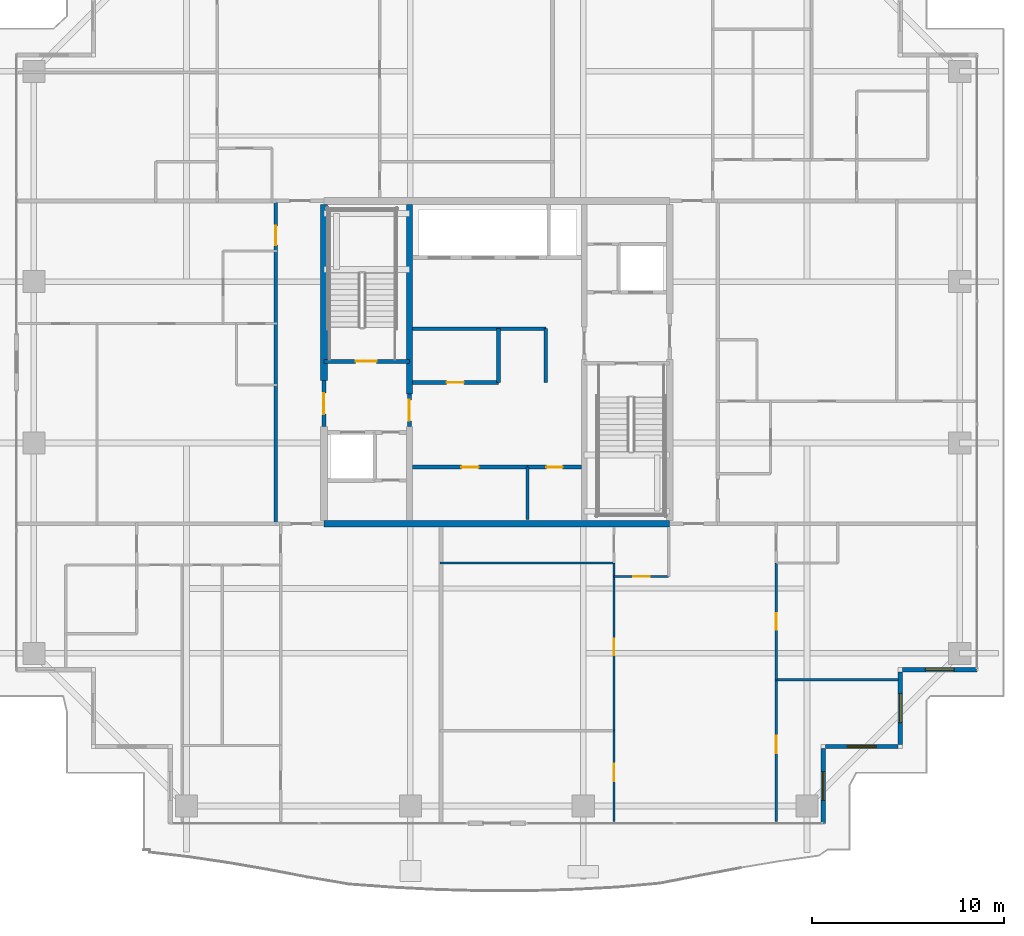
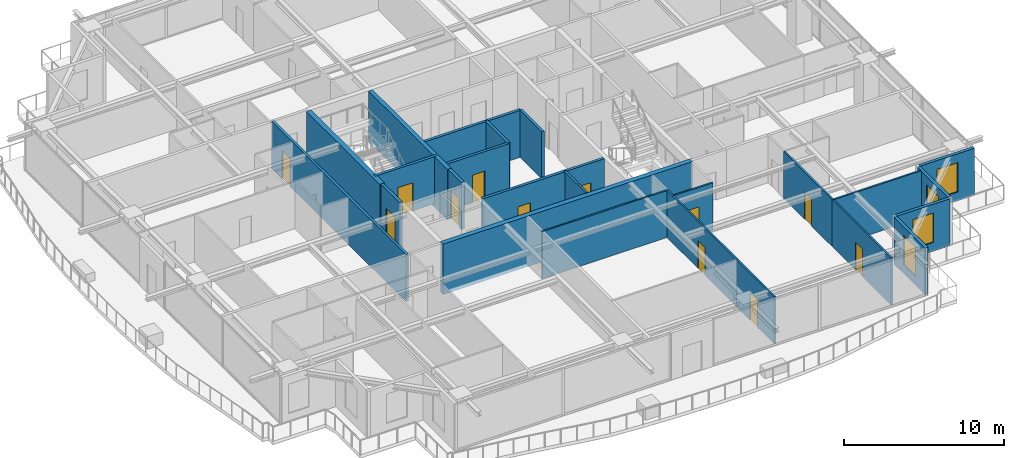
# One storey, part 25 of 35: 25 walls, 12 doors, 4 windows, 16 openings.
"""IFC4 building model written with IfcOpenShell, lengths in metres."""

from ifc_helpers import new_model, si_unit, direction, frame, frame_2d, origin, place, context, subcontext, project, spatial, rectangle, extrude, source, transform, mapped, material, layer, layer_set, type_object, element, fill, save


model = new_model("IFC4")

# Units and contexts
model_context = context("Model", 3, precision=1e-05, world=origin(), true_north=direction((0.0, 1.0)))
body_context = subcontext(model_context, "Body", "Model", "MODEL_VIEW")
ifc_project = project(units=[si_unit("LENGTHUNIT", "METRE"), si_unit("AREAUNIT", "SQUARE_METRE"), si_unit("VOLUMEUNIT", "CUBIC_METRE"), si_unit("PLANEANGLEUNIT", "RADIAN"), si_unit("MASSUNIT", "GRAM", prefix="KILO")], contexts=[model_context])

# Site, building, storey
site_placement = place(None, origin())
site = spatial("IfcSite", under=ifc_project, at=site_placement, CompositionType="ELEMENT")
building_placement = place(site_placement, origin())
building = spatial("IfcBuilding", under=site, at=building_placement, Name="Serunith Strait Residences", CompositionType="ELEMENT")
storey_placement = place(building_placement, frame((0.0, 0.0, 214.300048828125)))
storey = spatial("IfcBuildingStorey", under=building, at=storey_placement, Name="L53", CompositionType="ELEMENT", Elevation=214.300048828125)

# Wall, opening, window
ifc_material_1 = material(Name="Pale-Champagne Aluminium Insulated Panel", Category="aluminium")
ifc_layer_1 = layer(ifc_material_1, 0.219970703125, Name="Pale-Champagne Aluminium Insulated Panel")
ifc_layer_set_1 = layer_set([ifc_layer_1], Name="Pale-Champagne Aluminium Insulated Panel")
wall_type_1 = type_object("IfcWallType", Name="EW-ALUM-220", PredefinedType="ELEMENTEDWALL", material=ifc_layer_set_1)
wall_1_placement = place(storey_placement, frame((49.39990234375, 1.199951171875, 0.0), z_axis=(0.0, 0.0, 1.0), x_axis=(0.0, 1.0, 0.0)))
wall_1 = element("IfcWall", 1, at=wall_1_placement, inside=storey, type_object=wall_type_1, Name="L53 Girih Serrated Corner Wall 02", PredefinedType="ELEMENTEDWALL", context=body_context, shape_type="SweptSolid", body=[
    extrude(rectangle(XDim=3.89013671875, YDim=0.219970703125, at=frame_2d((1.945068359375, 0.0))), origin(), (0.0, 0.0, 1.0), 3.574951171875),
])
opening_1_placement = place(wall_1_placement, frame((1.195068359375, 0.0, 0.64990234375)))
opening_1 = element("IfcOpeningElement", 2, at=opening_1_placement, cuts=wall_1, Name="Opening W-05", PredefinedType="OPENING", context=body_context, shape_type="SweptSolid", body=[
    extrude(rectangle(XDim=1.5, YDim=2.25, at=frame_2d((0.75, 1.125))), frame((0.0, 0.1201171875, 0.0), z_axis=(0.0, -1.0, 0.0), x_axis=(1.0, 0.0, 0.0)), (0.0, 0.0, 1.0), 0.239990234375),
])
ifc_material_2 = material(Name="Ceramic-Fritted Operable Aluminium Window Glass", Category="aluminium")
window_type = type_object("IfcWindowType", Name="WIN-C5", PartitioningType="DOUBLE_PANEL_VERTICAL", PredefinedType="WINDOW", material=ifc_material_2)
shared_shape_1 = source(origin(), body_context, "Body", "SweptSolid", [
    extrude(rectangle(XDim=1.5, YDim=2.25, at=frame_2d((0.75, 1.125))), frame((0.0, 0.030029296875, 0.0), z_axis=(0.0, -1.0, 0.0), x_axis=(1.0, 0.0, 0.0)), (0.0, 0.0, 1.0), 0.06005859375),
])
window_1_placement = place(opening_1_placement, origin())
window_1 = element("IfcWindow", 3, at=window_1_placement, inside=storey, type_object=window_type, Name="L53 Corner Operable Fritted Window 02", OverallHeight=2.25, OverallWidth=1.5, PartitioningType="SINGLE_PANEL", PredefinedType="WINDOW", context=body_context, shape_type="MappedRepresentation", body=[
    mapped(shared_shape_1, transform((0.0, 0.0, 0.0), scale=1.0)),
])
fill(opening_1, window_1)

wall_2_placement = place(storey_placement, frame((49.510009765625, 5.199951171875, 0.0), z_axis=(0.0, 0.0, 1.0), x_axis=(1.0, 0.0, 0.0)))
wall_2 = element("IfcWall", 4, at=wall_2_placement, inside=storey, type_object=wall_type_1, Name="L53 Girih Serrated Corner Wall 03", PredefinedType="ELEMENTEDWALL", context=body_context, shape_type="SweptSolid", body=[
    extrude(rectangle(XDim=3.780029296875, YDim=0.219970703125, at=frame_2d((1.89013671875, 0.0))), origin(), (0.0, 0.0, 1.0), 3.574951171875),
])
opening_2_placement = place(wall_2_placement, frame((1.139892578125, 0.0, 0.64990234375)))
opening_2 = element("IfcOpeningElement", 5, at=opening_2_placement, cuts=wall_2, Name="Opening W-05", PredefinedType="OPENING", context=body_context, shape_type="SweptSolid", body=[
    extrude(rectangle(XDim=1.5, YDim=2.25, at=frame_2d((0.75, 1.125))), frame((0.0, 0.1201171875, 0.0), z_axis=(0.0, -1.0, 0.0), x_axis=(1.0, 0.0, 0.0)), (0.0, 0.0, 1.0), 0.239990234375),
])
window_2_placement = place(opening_2_placement, origin())
window_2 = element("IfcWindow", 6, at=window_2_placement, inside=storey, type_object=window_type, Name="L53 Corner Operable Fritted Window 03", OverallHeight=2.25, OverallWidth=1.5, PartitioningType="SINGLE_PANEL", PredefinedType="WINDOW", context=body_context, shape_type="MappedRepresentation", body=[
    mapped(shared_shape_1, transform((0.0, 0.0, 0.0), scale=1.0)),
])
fill(opening_2, window_2)

wall_3_placement = place(storey_placement, frame((53.39990234375, 5.31005859375, 0.0), z_axis=(0.0, 0.0, 1.0), x_axis=(0.0, 1.0, 0.0)))
wall_3 = element("IfcWall", 7, at=wall_3_placement, inside=storey, type_object=wall_type_1, Name="L53 Girih Serrated Corner Wall 04", PredefinedType="ELEMENTEDWALL", context=body_context, shape_type="SweptSolid", body=[
    extrude(rectangle(XDim=3.780029296875, YDim=0.219970703125, at=frame_2d((1.89013671875, 0.0))), origin(), (0.0, 0.0, 1.0), 3.574951171875),
])
opening_3_placement = place(wall_3_placement, frame((1.139892578125, 0.0, 0.64990234375)))
opening_3 = element("IfcOpeningElement", 8, at=opening_3_placement, cuts=wall_3, Name="Opening W-05", PredefinedType="OPENING", context=body_context, shape_type="SweptSolid", body=[
    extrude(rectangle(XDim=1.5, YDim=2.25, at=frame_2d((0.75, 1.125))), frame((0.0, 0.1201171875, 0.0), z_axis=(0.0, -1.0, 0.0), x_axis=(1.0, 0.0, 0.0)), (0.0, 0.0, 1.0), 0.239990234375),
])
window_3_placement = place(opening_3_placement, origin())
window_3 = element("IfcWindow", 9, at=window_3_placement, inside=storey, type_object=window_type, Name="L53 Corner Operable Fritted Window 04", OverallHeight=2.25, OverallWidth=1.5, PartitioningType="SINGLE_PANEL", PredefinedType="WINDOW", context=body_context, shape_type="MappedRepresentation", body=[
    mapped(shared_shape_1, transform((0.0, 0.0, 0.0), scale=1.0)),
])
fill(opening_3, window_3)

wall_4_placement = place(storey_placement, frame((53.510009765625, 9.199951171875, 0.0), z_axis=(0.0, 0.0, 1.0), x_axis=(1.0, 0.0, 0.0)))
wall_4 = element("IfcWall", 10, at=wall_4_placement, inside=storey, type_object=wall_type_1, Name="L53 Girih Serrated Corner Wall 05", PredefinedType="ELEMENTEDWALL", context=body_context, shape_type="SweptSolid", body=[
    extrude(rectangle(XDim=3.889892578125, YDim=0.219970703125, at=frame_2d((1.94482421875, 0.0))), origin(), (0.0, 0.0, 1.0), 3.574951171875),
])
opening_4_placement = place(wall_4_placement, frame((1.195068359375, 0.0, 0.64990234375)))
opening_4 = element("IfcOpeningElement", 11, at=opening_4_placement, cuts=wall_4, Name="Opening W-05", PredefinedType="OPENING", context=body_context, shape_type="SweptSolid", body=[
    extrude(rectangle(XDim=1.5, YDim=2.25, at=frame_2d((0.75, 1.125))), frame((0.0, 0.1201171875, 0.0), z_axis=(0.0, -1.0, 0.0), x_axis=(1.0, 0.0, 0.0)), (0.0, 0.0, 1.0), 0.239990234375),
])
window_4_placement = place(opening_4_placement, origin())
window_4 = element("IfcWindow", 12, at=window_4_placement, inside=storey, type_object=window_type, Name="L53 Corner Operable Fritted Window 05", OverallHeight=2.25, OverallWidth=1.5, PartitioningType="SINGLE_PANEL", PredefinedType="WINDOW", context=body_context, shape_type="MappedRepresentation", body=[
    mapped(shared_shape_1, transform((0.0, 0.0, 0.0), scale=1.0)),
])
fill(opening_4, window_4)

# Wall
ifc_material_3 = material(Name="Fire-rated masonry service closet wall", Category="masonry")
ifc_layer_2 = layer(ifc_material_3, 0.14990234375, Name="Fire-rated masonry service closet wall")
ifc_layer_set_2 = layer_set([ifc_layer_2], Name="Fire-rated masonry service closet wall")
wall_type_2 = type_object("IfcWallType", Name="IW-BOH-150", PredefinedType="PARTITIONING", material=ifc_layer_set_2)
wall_5_placement = place(storey_placement, frame((34.0, 17.02001953125, 0.0), z_axis=(0.0, 0.0, 1.0), x_axis=(0.0, 1.0, 0.0)))
element("IfcWall", 13, at=wall_5_placement, inside=storey, type_object=wall_type_2, Name="L53 Partition Wall 015", PredefinedType="PARTITIONING", context=body_context, shape_type="SweptSolid", body=[
    extrude(rectangle(XDim=2.72998046875, YDim=0.14990234375, at=frame_2d((1.364990234375, 0.0))), origin(), (0.0, 0.0, 1.0), 3.58984375),
])

# Wall, opening, door
ifc_material_4 = material(Name="Fire-rated acoustic gypsum partition")
ifc_layer_3 = layer(ifc_material_4, 0.179931640625, Name="Fire-rated acoustic gypsum partition")
ifc_layer_set_3 = layer_set([ifc_layer_3], Name="Fire-rated acoustic gypsum partition")
wall_type_3 = type_object("IfcWallType", Name="IW-CORR-180", PredefinedType="PARTITIONING", material=ifc_layer_set_3)
wall_6_placement = place(storey_placement, frame((20.89990234375, 16.800048828125, 0.0), z_axis=(0.0, 0.0, 1.0), x_axis=(0.0, 1.0, 0.0)))
wall_6 = element("IfcWall", 14, at=wall_6_placement, inside=storey, type_object=wall_type_3, Name="L53 Partition Wall 028", PredefinedType="PARTITIONING", context=body_context, shape_type="SweptSolid", body=[
    extrude(rectangle(XDim=16.800048828125, YDim=0.179931640625, at=frame_2d((8.39990234375, 0.0))), origin(), (0.0, 0.0, 1.0), 3.58984375),
])
opening_5_placement = place(wall_6_placement, frame((14.5, 0.0, 0.0)))
opening_5 = element("IfcOpeningElement", 15, at=opening_5_placement, cuts=wall_6, Name="Opening D-APT1000", PredefinedType="OPENING", context=body_context, shape_type="SweptSolid", body=[
    extrude(rectangle(XDim=1.0, YDim=2.14990234375, at=frame_2d((0.5, 1.074951171875))), frame((0.0, 0.10009765625, 0.0), z_axis=(0.0, -1.0, 0.0), x_axis=(1.0, 0.0, 0.0)), (0.0, 0.0, 1.0), 0.199951171875),
])
ifc_material_5 = material(Name="Solid timber engineered fire door", Category="wood")
door_type_1 = type_object("IfcDoorType", Name="ID-APT-1000", OperationType="NOTDEFINED", PredefinedType="DOOR", material=ifc_material_5)
shared_shape_2 = source(origin(), body_context, "Body", "SweptSolid", [
    extrude(rectangle(XDim=1.0, YDim=2.14990234375, at=frame_2d((0.5, 1.074951171875))), frame((0.0, 0.02490234375, 0.0), z_axis=(0.0, -1.0, 0.0), x_axis=(1.0, 0.0, 0.0)), (0.0, 0.0, 1.0), 0.050048828125),
])
door_1_placement = place(opening_5_placement, origin())
door_1 = element("IfcDoor", 16, at=door_1_placement, inside=storey, type_object=door_type_1, Name="L53 Unit 05 Entrance Door", OperationType="SINGLE_SWING_RIGHT", OverallHeight=2.14990234375, OverallWidth=1.0, PredefinedType="DOOR", context=body_context, shape_type="MappedRepresentation", body=[
    mapped(shared_shape_2, transform((0.0, 0.0, 0.0), scale=1.0)),
])
fill(opening_5, door_1)

ifc_material_6 = material(Name="Lightweight steel-stud gypsum partition", Category="steel")
ifc_layer_4 = layer(ifc_material_6, 0.1201171875, Name="Lightweight steel-stud gypsum partition")
ifc_layer_set_4 = layer_set([ifc_layer_4], Name="Lightweight steel-stud gypsum partition")
wall_type_4 = type_object("IfcWallType", Name="IW-PART-120", PredefinedType="PARTITIONING", material=ifc_layer_set_4)
wall_7_placement = place(storey_placement, frame((38.5, 14.050048828125, 0.0), z_axis=(0.0, 0.0, 1.0), x_axis=(1.0, 0.0, 0.0)))
wall_7 = element("IfcWall", 17, at=wall_7_placement, inside=storey, type_object=wall_type_4, Name="L53 Partition Wall 046", PredefinedType="PARTITIONING", context=body_context, shape_type="SweptSolid", body=[
    extrude(rectangle(XDim=2.85009765625, YDim=0.1201171875, at=frame_2d((1.425048828125, 0.0))), origin(), (0.0, 0.0, 1.0), 3.58984375),
])
opening_6_placement = place(wall_7_placement, frame((1.0, 0.0, 0.0)))
opening_6 = element("IfcOpeningElement", 18, at=opening_6_placement, cuts=wall_7, Name="Opening D-RM850", PredefinedType="OPENING", context=body_context, shape_type="SweptSolid", body=[
    extrude(rectangle(XDim=0.85009765625, YDim=2.10009765625, at=frame_2d((0.425048828125, 1.050048828125))), frame((0.0, 0.070068359375, 0.0), z_axis=(0.0, -1.0, 0.0), x_axis=(1.0, 0.0, 0.0)), (0.0, 0.0, 1.0), 0.14013671875),
])
ifc_material_7 = material(Name="Engineered timber flush study and kitchen door", Category="wood")
door_type_2 = type_object("IfcDoorType", Name="ID-ROOM-850", OperationType="NOTDEFINED", PredefinedType="DOOR", material=ifc_material_7)
shared_shape_3 = source(origin(), body_context, "Body", "SweptSolid", [
    extrude(rectangle(XDim=0.85009765625, YDim=2.10009765625, at=frame_2d((0.425048828125, 1.050048828125))), frame((0.0, 0.02490234375, 0.0), z_axis=(0.0, -1.0, 0.0), x_axis=(1.0, 0.0, 0.0)), (0.0, 0.0, 1.0), 0.050048828125),
])
door_2_placement = place(opening_6_placement, origin())
door_2 = element("IfcDoor", 19, at=door_2_placement, inside=storey, type_object=door_type_2, Name="L53 Kitchen 5302 Door", OperationType="SINGLE_SWING_LEFT", OverallHeight=2.10009765625, OverallWidth=0.85009765625, PredefinedType="DOOR", context=body_context, shape_type="MappedRepresentation", body=[
    mapped(shared_shape_3, transform((0.0, 0.0, 0.0), scale=1.0)),
])
fill(opening_6, door_2)

wall_8_placement = place(storey_placement, frame((38.5, 1.294921875, 0.0), z_axis=(0.0, 0.0, 1.0), x_axis=(0.0, 1.0, 0.0)))
wall_8 = element("IfcWall", 20, at=wall_8_placement, inside=storey, type_object=wall_type_4, Name="L53 Partition Wall 048", PredefinedType="PARTITIONING", context=body_context, shape_type="SweptSolid", body=[
    extrude(rectangle(XDim=4.72705078125, YDim=0.1201171875, at=frame_2d((2.363525390625, 0.0))), origin(), (0.0, 0.0, 1.0), 3.58984375),
])
opening_7_placement = place(wall_8_placement, frame((2.10498046875, 0.0, 0.0)))
opening_7 = element("IfcOpeningElement", 21, at=opening_7_placement, cuts=wall_8, Name="Opening D-RM900", PredefinedType="OPENING", context=body_context, shape_type="SweptSolid", body=[
    extrude(rectangle(XDim=0.89990234375, YDim=2.10009765625, at=frame_2d((0.449951171875, 1.050048828125))), frame((0.0, 0.070068359375, 0.0), z_axis=(0.0, -1.0, 0.0), x_axis=(1.0, 0.0, 0.0)), (0.0, 0.0, 1.0), 0.14013671875),
])
ifc_material_8 = material(Name="Engineered timber flush bedroom door", Category="wood")
door_type_3 = type_object("IfcDoorType", Name="ID-ROOM-900", OperationType="NOTDEFINED", PredefinedType="DOOR", material=ifc_material_8)
shared_shape_4 = source(origin(), body_context, "Body", "SweptSolid", [
    extrude(rectangle(XDim=0.89990234375, YDim=2.10009765625, at=frame_2d((0.449951171875, 1.050048828125))), frame((0.0, 0.02490234375, 0.0), z_axis=(0.0, -1.0, 0.0), x_axis=(1.0, 0.0, 0.0)), (0.0, 0.0, 1.0), 0.050048828125),
])
door_3_placement = place(opening_7_placement, origin())
door_3 = element("IfcDoor", 22, at=door_3_placement, inside=storey, type_object=door_type_3, Name="L53 Master Bedroom 1 5302 Door", OperationType="SINGLE_SWING_RIGHT", OverallHeight=2.10009765625, OverallWidth=0.89990234375, PredefinedType="DOOR", context=body_context, shape_type="MappedRepresentation", body=[
    mapped(shared_shape_4, transform((0.0, 0.0, 0.0), scale=1.0)),
])
fill(opening_7, door_3)

# Wall
wall_9_placement = place(storey_placement, frame((29.43994140625, 14.75, 0.0), z_axis=(0.0, 0.0, 1.0), x_axis=(1.0, 0.0, 0.0)))
element("IfcWall", 23, at=wall_9_placement, inside=storey, type_object=wall_type_4, Name="L53 Partition Wall 050", PredefinedType="PARTITIONING", context=body_context, shape_type="SweptSolid", body=[
    extrude(rectangle(XDim=9.06005859375, YDim=0.1201171875, at=frame_2d((4.530029296875, 0.0))), origin(), (0.0, 0.0, 1.0), 3.58984375),
])

# Wall, opening, door
wall_10_placement = place(storey_placement, frame((38.5, 6.02392578125, 0.0), z_axis=(0.0, 0.0, 1.0), x_axis=(0.0, 1.0, 0.0)))
wall_10 = element("IfcWall", 24, at=wall_10_placement, inside=storey, type_object=wall_type_4, Name="L53 Partition Wall 051", PredefinedType="PARTITIONING", context=body_context, shape_type="SweptSolid", body=[
    extrude(rectangle(XDim=8.72607421875, YDim=0.1201171875, at=frame_2d((4.363037109375, 0.0))), origin(), (0.0, 0.0, 1.0), 3.58984375),
])
opening_8_placement = place(wall_10_placement, frame((3.93798828125, 0.0, 0.0)))
opening_8 = element("IfcOpeningElement", 25, at=opening_8_placement, cuts=wall_10, Name="Opening D-RM850", PredefinedType="OPENING", context=body_context, shape_type="SweptSolid", body=[
    extrude(rectangle(XDim=0.85009765625, YDim=2.10009765625, at=frame_2d((0.425048828125, 1.050048828125))), frame((0.0, 0.070068359375, 0.0), z_axis=(0.0, -1.0, 0.0), x_axis=(1.0, 0.0, 0.0)), (0.0, 0.0, 1.0), 0.14013671875),
])
door_4_placement = place(opening_8_placement, origin())
door_4 = element("IfcDoor", 26, at=door_4_placement, inside=storey, type_object=door_type_2, Name="L53 Walk-in Wardrobe 5302 Door", OperationType="SINGLE_SWING_LEFT", OverallHeight=2.10009765625, OverallWidth=0.85009765625, PredefinedType="DOOR", context=body_context, shape_type="MappedRepresentation", body=[
    mapped(shared_shape_3, transform((0.0, 0.0, 0.0), scale=1.0)),
])
fill(opening_8, door_4)

wall_11_placement = place(storey_placement, frame((46.949951171875, 1.294921875, 0.0), z_axis=(0.0, 0.0, 1.0), x_axis=(0.0, 1.0, 0.0)))
wall_11 = element("IfcWall", 27, at=wall_11_placement, inside=storey, type_object=wall_type_4, Name="L53 Partition Wall 053", PredefinedType="PARTITIONING", context=body_context, shape_type="SweptSolid", body=[
    extrude(rectangle(XDim=7.373046875, YDim=0.1201171875, at=frame_2d((3.6865234375, 0.0))), origin(), (0.0, 0.0, 1.0), 3.58984375),
])
opening_9_placement = place(wall_11_placement, frame((3.56005859375, 0.0, 0.0)))
opening_9 = element("IfcOpeningElement", 28, at=opening_9_placement, cuts=wall_11, Name="Opening D-RM900", PredefinedType="OPENING", context=body_context, shape_type="SweptSolid", body=[
    extrude(rectangle(XDim=0.89990234375, YDim=2.10009765625, at=frame_2d((0.449951171875, 1.050048828125))), frame((0.0, 0.070068359375, 0.0), z_axis=(0.0, -1.0, 0.0), x_axis=(1.0, 0.0, 0.0)), (0.0, 0.0, 1.0), 0.14013671875),
])
door_5_placement = place(opening_9_placement, origin())
door_5 = element("IfcDoor", 29, at=door_5_placement, inside=storey, type_object=door_type_3, Name="L53 Bedroom 2 5302 Door", OperationType="SINGLE_SWING_LEFT", OverallHeight=2.10009765625, OverallWidth=0.89990234375, PredefinedType="DOOR", context=body_context, shape_type="MappedRepresentation", body=[
    mapped(shared_shape_4, transform((0.0, 0.0, 0.0), scale=1.0)),
])
fill(opening_9, door_5)

# Wall
wall_12_placement = place(storey_placement, frame((46.949951171875, 8.66796875, 0.0), z_axis=(0.0, 0.0, 1.0), x_axis=(1.0, 0.0, 0.0)))
element("IfcWall", 30, at=wall_12_placement, inside=storey, type_object=wall_type_4, Name="L53 Partition Wall 054", PredefinedType="PARTITIONING", context=body_context, shape_type="SweptSolid", body=[
    extrude(rectangle(XDim=6.35498046875, YDim=0.1201171875, at=frame_2d((3.177490234375, 0.0))), origin(), (0.0, 0.0, 1.0), 3.58984375),
])

# Wall, opening, door
wall_13_placement = place(storey_placement, frame((46.949951171875, 8.669921875, 0.0), z_axis=(0.0, 0.0, 1.0), x_axis=(0.0, 1.0, 0.0)))
wall_13 = element("IfcWall", 31, at=wall_13_placement, inside=storey, type_object=wall_type_4, Name="L53 Partition Wall 057", PredefinedType="PARTITIONING", context=body_context, shape_type="SweptSolid", body=[
    extrude(rectangle(XDim=6.080078125, YDim=0.1201171875, at=frame_2d((3.0400390625, 0.0))), origin(), (0.0, 0.0, 1.0), 3.58984375),
])
opening_10_placement = place(wall_13_placement, frame((2.614990234375, 0.0, 0.0)))
opening_10 = element("IfcOpeningElement", 32, at=opening_10_placement, cuts=wall_13, Name="Opening D-RM850", PredefinedType="OPENING", context=body_context, shape_type="SweptSolid", body=[
    extrude(rectangle(XDim=0.85009765625, YDim=2.10009765625, at=frame_2d((0.425048828125, 1.050048828125))), frame((0.0, 0.070068359375, 0.0), z_axis=(0.0, -1.0, 0.0), x_axis=(1.0, 0.0, 0.0)), (0.0, 0.0, 1.0), 0.14013671875),
])
door_6_placement = place(opening_10_placement, origin())
door_6 = element("IfcDoor", 33, at=door_6_placement, inside=storey, type_object=door_type_2, Name="L53 Walk-in Wardrobe 5302 Door", OperationType="SINGLE_SWING_RIGHT", OverallHeight=2.10009765625, OverallWidth=0.85009765625, PredefinedType="DOOR", context=body_context, shape_type="MappedRepresentation", body=[
    mapped(shared_shape_3, transform((0.0, 0.0, 0.0), scale=1.0)),
])
fill(opening_10, door_6)

ifc_material_9 = material(Name="Autoclaved aerated concrete blockwork", Category="masonry")
ifc_layer_5 = layer(ifc_material_9, 0.199951171875, Name="Autoclaved aerated concrete blockwork")
ifc_layer_set_5 = layer_set([ifc_layer_5], Name="Autoclaved aerated concrete blockwork")
wall_type_5 = type_object("IfcWallType", Name="IW-SHAFT-200", PredefinedType="STANDARD", material=ifc_layer_set_5)
wall_14_placement = place(storey_placement, frame((23.39990234375, 25.25, 0.0), z_axis=(0.0, 0.0, 1.0), x_axis=(1.0, 0.0, 0.0)))
wall_14 = element("IfcWall", 34, at=wall_14_placement, inside=storey, type_object=wall_type_5, Name="L53 ST-1 South Shaft Wall", PredefinedType="STANDARD", context=body_context, shape_type="SweptSolid", body=[
    extrude(rectangle(XDim=4.4501953125, YDim=0.199951171875, at=frame_2d((2.22509765625, 0.0))), origin(), (0.0, 0.0, 1.0), 3.58984375),
])
opening_11_placement = place(wall_14_placement, frame((1.64990234375, 0.0, 0.0)))
opening_11 = element("IfcOpeningElement", 35, at=opening_11_placement, cuts=wall_14, Name="Opening FD-1100", PredefinedType="OPENING", context=body_context, shape_type="SweptSolid", body=[
    extrude(rectangle(XDim=1.10009765625, YDim=2.14990234375, at=frame_2d((0.550048828125, 1.074951171875))), frame((0.0, 0.10986328125, 0.0), z_axis=(0.0, -1.0, 0.0), x_axis=(1.0, 0.0, 0.0)), (0.0, 0.0, 1.0), 0.219970703125),
])
ifc_material_10 = material(Name="Galvanised steel fire door leaf", Category="steel")
door_type_4 = type_object("IfcDoorType", Name="FD-STAIR-1100", OperationType="NOTDEFINED", PredefinedType="DOOR", material=ifc_material_10)
shared_shape_5 = source(origin(), body_context, "Body", "SweptSolid", [
    extrude(rectangle(XDim=1.10009765625, YDim=2.14990234375, at=frame_2d((0.550048828125, 1.074951171875))), frame((0.0, 0.02490234375, 0.0), z_axis=(0.0, -1.0, 0.0), x_axis=(1.0, 0.0, 0.0)), (0.0, 0.0, 1.0), 0.050048828125),
])
door_7_placement = place(opening_11_placement, origin())
door_7 = element("IfcDoor", 36, at=door_7_placement, inside=storey, type_object=door_type_4, Name="L53 ST-1 Escape Stair Door", OperationType="SINGLE_SWING_LEFT", OverallHeight=2.14990234375, OverallWidth=1.10009765625, PredefinedType="DOOR", context=body_context, shape_type="MappedRepresentation", body=[
    mapped(shared_shape_5, transform((0.0, 0.0, 0.0), scale=1.0)),
])
fill(opening_11, door_7)

wall_15_placement = place(storey_placement, frame((23.39990234375, 21.85205078125, 0.0), z_axis=(0.0, 0.0, 1.0), x_axis=(0.0, 1.0, 0.0)))
wall_15 = element("IfcWall", 37, at=wall_15_placement, inside=storey, type_object=wall_type_5, Name="L53 Partition Wall 007", PredefinedType="STANDARD", context=body_context, shape_type="SweptSolid", body=[
    extrude(rectangle(XDim=2.39599609375, YDim=0.199951171875, at=frame_2d((1.197998046875, 0.0))), origin(), (0.0, 0.0, 1.0), 3.58984375),
])
opening_12_placement = place(wall_15_placement, frame((0.64794921875, 0.0, 0.0)))
opening_12 = element("IfcOpeningElement", 38, at=opening_12_placement, cuts=wall_15, Name="Opening FD-FFL", PredefinedType="OPENING", context=body_context, shape_type="SweptSolid", body=[
    extrude(rectangle(XDim=1.10009765625, YDim=2.14990234375, at=frame_2d((0.550048828125, 1.074951171875))), frame((0.0, 0.10986328125, 0.0), z_axis=(0.0, -1.0, 0.0), x_axis=(1.0, 0.0, 0.0)), (0.0, 0.0, 1.0), 0.219970703125),
])
ifc_material_11 = material(Name="Glazed steel smoke-lobby fire door", Category="steel")
door_type_5 = type_object("IfcDoorType", Name="FD-FFL-1100", OperationType="NOTDEFINED", PredefinedType="DOOR", material=ifc_material_11)
door_8_placement = place(opening_12_placement, origin())
door_8 = element("IfcDoor", 39, at=door_8_placement, inside=storey, type_object=door_type_5, Name="L53 FFL-1 Corridor Fire Door", OperationType="SINGLE_SWING_LEFT", OverallHeight=2.14990234375, OverallWidth=1.10009765625, PredefinedType="DOOR", context=body_context, shape_type="MappedRepresentation", body=[
    mapped(shared_shape_5, transform((0.0, 0.0, 0.0), scale=1.0)),
])
fill(opening_12, door_8)

wall_16_placement = place(storey_placement, frame((27.85009765625, 21.85205078125, 0.0), z_axis=(0.0, 0.0, 1.0), x_axis=(0.0, 1.0, 0.0)))
wall_16 = element("IfcWall", 40, at=wall_16_placement, inside=storey, type_object=wall_type_5, Name="L53 Partition Wall 009", PredefinedType="STANDARD", context=body_context, shape_type="SweptSolid", body=[
    extrude(rectangle(XDim=1.696044921875, YDim=0.199951171875, at=frame_2d((0.84814453125, 0.0))), origin(), (0.0, 0.0, 1.0), 3.58984375),
])
opening_13_placement = place(wall_16_placement, frame((0.298095703125, 0.0, 0.0)))
opening_13 = element("IfcOpeningElement", 41, at=opening_13_placement, cuts=wall_16, Name="Opening FD-FFL", PredefinedType="OPENING", context=body_context, shape_type="SweptSolid", body=[
    extrude(rectangle(XDim=1.10009765625, YDim=2.14990234375, at=frame_2d((0.550048828125, 1.074951171875))), frame((0.0, 0.10986328125, 0.0), z_axis=(0.0, -1.0, 0.0), x_axis=(1.0, 0.0, 0.0)), (0.0, 0.0, 1.0), 0.219970703125),
])
door_9_placement = place(opening_13_placement, origin())
door_9 = element("IfcDoor", 42, at=door_9_placement, inside=storey, type_object=door_type_5, Name="L53 FFL-1 Lift Lobby Door", OperationType="SINGLE_SWING_LEFT", OverallHeight=2.14990234375, OverallWidth=1.10009765625, PredefinedType="DOOR", context=body_context, shape_type="MappedRepresentation", body=[
    mapped(shared_shape_5, transform((0.0, 0.0, 0.0), scale=1.0)),
])
fill(opening_13, door_9)

wall_17_placement = place(storey_placement, frame((28.0, 19.75, 0.0), z_axis=(0.0, 0.0, 1.0), x_axis=(1.0, 0.0, 0.0)))
wall_17 = element("IfcWall", 43, at=wall_17_placement, inside=storey, type_object=wall_type_5, Name="L53 Partition Wall 013", PredefinedType="STANDARD", context=body_context, shape_type="SweptSolid", body=[
    extrude(rectangle(XDim=6.0, YDim=0.199951171875, at=frame_2d((3.0, 0.0))), origin(), (0.0, 0.0, 1.0), 3.58984375),
])
opening_14_placement = place(wall_17_placement, frame((2.550048828125, 0.0, 0.0)))
opening_14 = element("IfcOpeningElement", 44, at=opening_14_placement, cuts=wall_17, Name="Opening FD-900", PredefinedType="OPENING", context=body_context, shape_type="SweptSolid", body=[
    extrude(rectangle(XDim=0.89990234375, YDim=2.10009765625, at=frame_2d((0.449951171875, 1.050048828125))), frame((0.0, 0.10986328125, 0.0), z_axis=(0.0, -1.0, 0.0), x_axis=(1.0, 0.0, 0.0)), (0.0, 0.0, 1.0), 0.219970703125),
])
ifc_material_12 = material(Name="Powder-coated steel riser door", Category="steel")
door_type_6 = type_object("IfcDoorType", Name="FD-BOH-900", OperationType="NOTDEFINED", PredefinedType="DOOR", material=ifc_material_12)
door_10_placement = place(opening_14_placement, origin())
door_10 = element("IfcDoor", 45, at=door_10_placement, inside=storey, type_object=door_type_6, Name="L53 Telecoms Comms Door", OperationType="SINGLE_SWING_LEFT", OverallHeight=2.10009765625, OverallWidth=0.89990234375, PredefinedType="DOOR", context=body_context, shape_type="MappedRepresentation", body=[
    mapped(shared_shape_4, transform((0.0, 0.0, 0.0), scale=1.0)),
])
fill(opening_14, door_10)

wall_18_placement = place(storey_placement, frame((34.001953125, 19.75, 0.0), z_axis=(0.0, 0.0, 1.0), x_axis=(1.0, 0.0, 0.0)))
wall_18 = element("IfcWall", 46, at=wall_18_placement, inside=storey, type_object=wall_type_5, Name="L53 Partition Wall 014", PredefinedType="STANDARD", context=body_context, shape_type="SweptSolid", body=[
    extrude(rectangle(XDim=2.798095703125, YDim=0.199951171875, at=frame_2d((1.39892578125, 0.0))), origin(), (0.0, 0.0, 1.0), 3.58984375),
])
opening_15_placement = place(wall_18_placement, frame((0.97412109375, 0.0, 0.0)))
opening_15 = element("IfcOpeningElement", 47, at=opening_15_placement, cuts=wall_18, Name="Opening FD-850", PredefinedType="OPENING", context=body_context, shape_type="SweptSolid", body=[
    extrude(rectangle(XDim=0.85009765625, YDim=2.10009765625, at=frame_2d((0.425048828125, 1.050048828125))), frame((0.0, 0.10986328125, 0.0), z_axis=(0.0, -1.0, 0.0), x_axis=(1.0, 0.0, 0.0)), (0.0, 0.0, 1.0), 0.219970703125),
])
ifc_material_13 = material(Name="Powder-coated steel service closet door", Category="steel")
door_type_7 = type_object("IfcDoorType", Name="FD-BOH-850", OperationType="NOTDEFINED", PredefinedType="DOOR", material=ifc_material_13)
door_11_placement = place(opening_15_placement, origin())
door_11 = element("IfcDoor", 48, at=door_11_placement, inside=storey, type_object=door_type_7, Name="L53 Floor Linen Closet Door", OperationType="SINGLE_SWING_RIGHT", OverallHeight=2.10009765625, OverallWidth=0.85009765625, PredefinedType="DOOR", context=body_context, shape_type="MappedRepresentation", body=[
    mapped(shared_shape_3, transform((0.0, 0.0, 0.0), scale=1.0)),
])
fill(opening_15, door_11)

# Walls
wall_19_placement = place(storey_placement, frame((28.0, 26.949951171875, 0.0), z_axis=(0.0, 0.0, 1.0), x_axis=(1.0, 0.0, 0.0)))
element("IfcWall", 49, at=wall_19_placement, inside=storey, type_object=wall_type_5, Name="L53 Partition Wall 016", PredefinedType="STANDARD", context=body_context, shape_type="SweptSolid", body=[
    extrude(rectangle(XDim=6.949951171875, YDim=0.199951171875, at=frame_2d((3.47509765625, 0.0))), origin(), (0.0, 0.0, 1.0), 3.58984375),
])
wall_20_placement = place(storey_placement, frame((34.949951171875, 24.14990234375, 0.0), z_axis=(0.0, 0.0, 1.0), x_axis=(0.0, 1.0, 0.0)))
element("IfcWall", 50, at=wall_20_placement, inside=storey, type_object=wall_type_5, Name="L53 Partition Wall 017", PredefinedType="STANDARD", context=body_context, shape_type="SweptSolid", body=[
    extrude(rectangle(XDim=2.800048828125, YDim=0.199951171875, at=frame_2d((1.39990234375, 0.0))), origin(), (0.0, 0.0, 1.0), 3.58984375),
])

# Wall, opening, door
wall_21_placement = place(storey_placement, frame((28.0, 24.14990234375, 0.0), z_axis=(0.0, 0.0, 1.0), x_axis=(1.0, 0.0, 0.0)))
wall_21 = element("IfcWall", 51, at=wall_21_placement, inside=storey, type_object=wall_type_5, Name="L53 Partition Wall 018", PredefinedType="STANDARD", context=body_context, shape_type="SweptSolid", body=[
    extrude(rectangle(XDim=4.47998046875, YDim=0.199951171875, at=frame_2d((2.239990234375, 0.0))), origin(), (0.0, 0.0, 1.0), 3.58984375),
])
opening_16_placement = place(wall_21_placement, frame((1.7900390625, 0.0, 0.0)))
opening_16 = element("IfcOpeningElement", 52, at=opening_16_placement, cuts=wall_21, Name="Opening FD-900", PredefinedType="OPENING", context=body_context, shape_type="SweptSolid", body=[
    extrude(rectangle(XDim=0.89990234375, YDim=2.10009765625, at=frame_2d((0.449951171875, 1.050048828125))), frame((0.0, 0.10986328125, 0.0), z_axis=(0.0, -1.0, 0.0), x_axis=(1.0, 0.0, 0.0)), (0.0, 0.0, 1.0), 0.219970703125),
])
door_12_placement = place(opening_16_placement, origin())
door_12 = element("IfcDoor", 53, at=door_12_placement, inside=storey, type_object=door_type_6, Name="L53 Equipment Store Door", OperationType="SINGLE_SWING_LEFT", OverallHeight=2.10009765625, OverallWidth=0.89990234375, PredefinedType="DOOR", context=body_context, shape_type="MappedRepresentation", body=[
    mapped(shared_shape_4, transform((0.0, 0.0, 0.0), scale=1.0)),
])
fill(opening_16, door_12)

# Walls
wall_22_placement = place(storey_placement, frame((32.47998046875, 24.14990234375, 0.0), z_axis=(0.0, 0.0, 1.0), x_axis=(0.0, 1.0, 0.0)))
element("IfcWall", 54, at=wall_22_placement, inside=storey, type_object=wall_type_5, Name="L53 Partition Wall 019", PredefinedType="STANDARD", context=body_context, shape_type="SweptSolid", body=[
    extrude(rectangle(XDim=2.800048828125, YDim=0.199951171875, at=frame_2d((1.39990234375, 0.0))), origin(), (0.0, 0.0, 1.0), 3.58984375),
])
ifc_material_14 = material(Name="Concrete C60/75", Category="concrete")
ifc_layer_6 = layer(ifc_material_14, 0.300048828125, Name="Concrete C60/75")
ifc_layer_set_6 = layer_set([ifc_layer_6], Name="Concrete C60/75")
wall_type_6 = type_object("IfcWallType", Name="SW-300-C60", PredefinedType="SHEAR", material=ifc_layer_set_6)
wall_23_placement = place(storey_placement, frame((27.85009765625, 23.550048828125, -0.260009765625), z_axis=(0.0, 0.0, 1.0), x_axis=(0.0, 1.0, 0.0)))
element("IfcWall", 55, at=wall_23_placement, inside=storey, type_object=wall_type_6, Name="L53 Core Internal West Web North Pier", PredefinedType="SHEAR", context=body_context, shape_type="SweptSolid", body=[
    extrude(rectangle(XDim=9.875, YDim=0.300048828125, at=frame_2d((4.9375, 0.0))), origin(), (0.0, 0.0, 1.0), 3.847900390625),
])
ifc_layer_7 = layer(ifc_material_14, 0.35009765625, Name="Concrete C60/75")
ifc_layer_set_7 = layer_set([ifc_layer_7], Name="Concrete C60/75")
wall_type_7 = type_object("IfcWallType", Name="SW-350-C60", PredefinedType="SHEAR", material=ifc_layer_set_7)
wall_24_placement = place(storey_placement, frame((23.39990234375, 16.800048828125, -0.260009765625), z_axis=(0.0, 0.0, 1.0), x_axis=(1.0, 0.0, 0.0)))
element("IfcWall", 56, at=wall_24_placement, inside=storey, type_object=wall_type_7, Name="L53 Core South Shear Wall", PredefinedType="SHEAR", context=body_context, shape_type="SweptSolid", body=[
    extrude(rectangle(XDim=18.0, YDim=0.35009765625, at=frame_2d((9.0, 0.0))), origin(), (0.0, 0.0, 1.0), 3.847900390625),
])
wall_25_placement = place(storey_placement, frame((23.39990234375, 24.25, -0.260009765625), z_axis=(0.0, 0.0, 1.0), x_axis=(0.0, 1.0, 0.0)))
element("IfcWall", 57, at=wall_25_placement, inside=storey, type_object=wall_type_7, Name="L53 Core West Shear Wall North Pier", PredefinedType="SHEAR", context=body_context, shape_type="SweptSolid", body=[
    extrude(rectangle(XDim=9.175048828125, YDim=0.35009765625, at=frame_2d((4.58740234375, 0.0))), origin(), (0.0, 0.0, 1.0), 3.847900390625),
])

save(model, "model.ifc")
